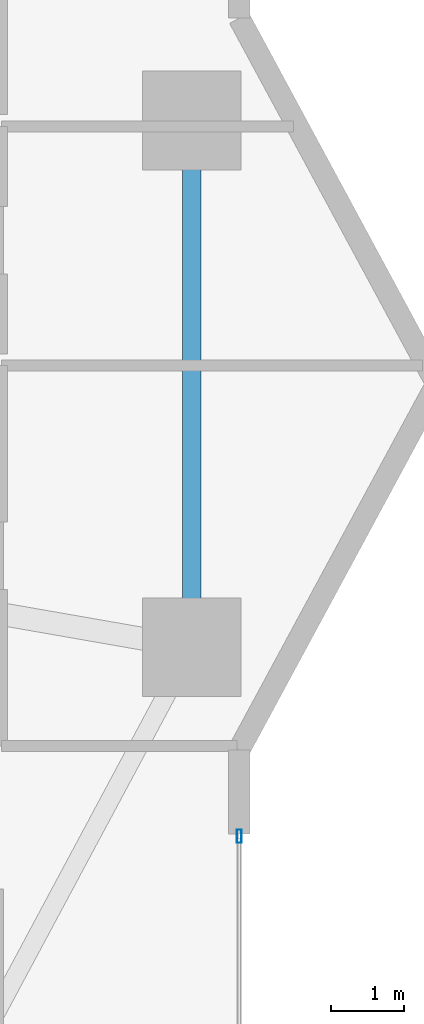
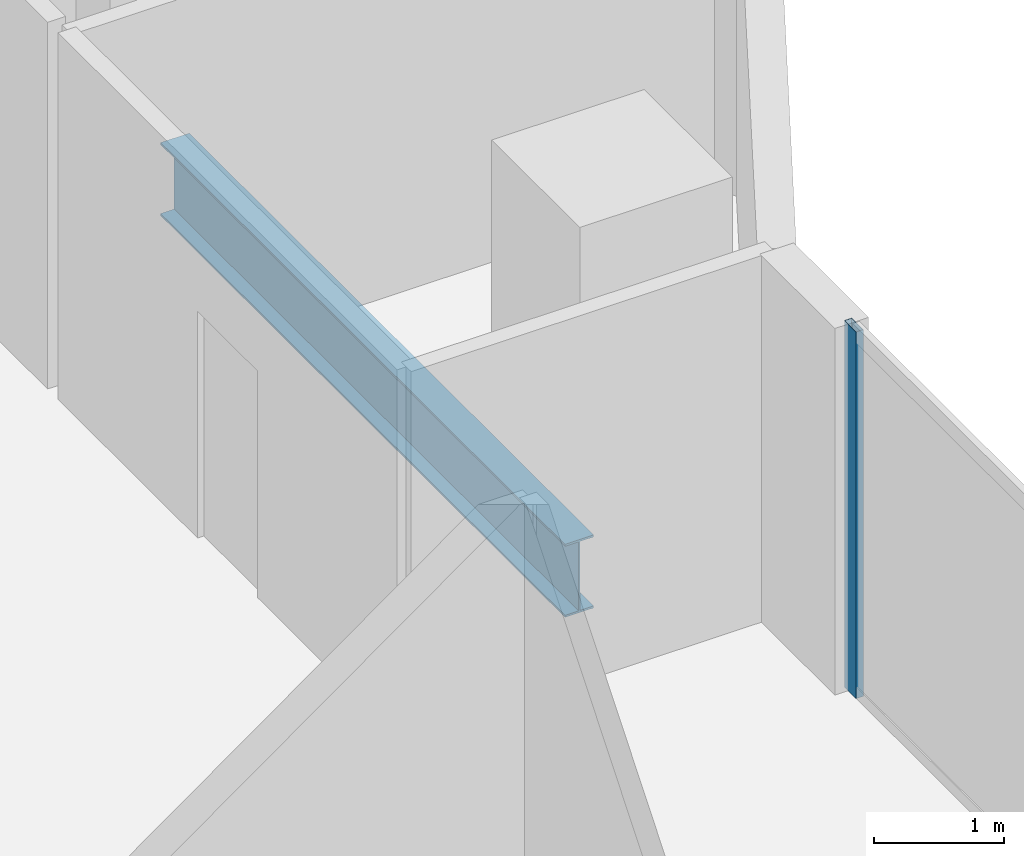
# One storey, part 13 of 27: 1 beam, 1 member, 1 element without a shape of its own.
"""IFC4 building model written with IfcOpenShell, lengths in metres."""

from ifc_helpers import new_model, si_unit, direction, frame, origin, origin_2d, place, context, subcontext, project, spatial, hollow_rectangle, i_section, extrude, material, layer, layer_set, material_profile, profile_set, type_object, element, aggregate, save


model = new_model("IFC4")

# Units and contexts
model_context = context("Model", 3, precision=1e-05, world=origin(), true_north=direction((0.0, 1.0)))
body_context = subcontext(model_context, "Body", "Model", "MODEL_VIEW")
ifc_project = project(units=[si_unit("LENGTHUNIT", "METRE"), si_unit("AREAUNIT", "SQUARE_METRE"), si_unit("VOLUMEUNIT", "CUBIC_METRE"), si_unit("PLANEANGLEUNIT", "RADIAN"), si_unit("MASSUNIT", "GRAM", prefix="KILO")], contexts=[model_context])

# Site, building, storey
site_placement = place(None, origin())
site = spatial("IfcSite", under=ifc_project, at=site_placement, CompositionType="ELEMENT")
building_placement = place(site_placement, origin())
building = spatial("IfcBuilding", under=site, at=building_placement, Name="Zuhayl Quay Hotel", CompositionType="ELEMENT")
storey_placement = place(building_placement, frame((0.0, 0.0, 117.550048828125)))
storey = spatial("IfcBuildingStorey", under=building, at=storey_placement, Name="L29", CompositionType="ELEMENT", Elevation=117.550048828125)

# Beam
ifc_material_1 = material(Name="Steel ASTM A992 Grade 50", Category="steel")
ifc_material_profile_1 = material_profile(ifc_material_1, i_section(OverallWidth=0.25390625, OverallDepth=0.68310546875, WebThickness=0.012451171875, FlangeThickness=0.018798828125, at=origin_2d()), Name="W27X94")
ifc_profile_set_1 = profile_set([ifc_material_profile_1], Name="Steel ASTM A992 Grade 50")
beam_type = type_object("IfcBeamType", Name="BM_B2_W27X94", PredefinedType="BEAM", material=ifc_profile_set_1)
beam_placement = place(storey_placement, frame((23.25, 3.39990234375, -0.5615234375), z_axis=(0.0, 1.0, 0.0), x_axis=(-1.0, 0.0, 0.0)))
element("IfcBeam", 1, at=beam_placement, inside=storey, type_object=beam_type, Name="L29 Floor Beam RG_L29_05", PredefinedType="BEAM", context=body_context, shape_type="SweptSolid", body=[
    extrude(i_section(OverallWidth=0.25390625, OverallDepth=0.68310546875, WebThickness=0.012451171875, FlangeThickness=0.018798828125, at=origin_2d()), origin(), (0.0, 0.0, 1.0), 6.2001953125),
])

# Curtain wall, member
ifc_material_2 = material(Name="Anodised Aluminium 6063-T6", Category="aluminium")
ifc_layer = layer(ifc_material_2, 0.179931640625, Name="Anodised Aluminium 6063-T6", Category="aluminium")
ifc_layer_set = layer_set([ifc_layer], Name="Anodised Aluminium 6063-T6")
curtain_wall_type = type_object("IfcCurtainWallType", Name="CW_SYS_Z2", PredefinedType="USERDEFINED", material=ifc_layer_set)
curtain_wall_placement = place(storey_placement, origin())
curtain_wall = element("IfcCurtainWall", 2, at=curtain_wall_placement, inside=storey, type_object=curtain_wall_type, Name="L29 Curtain Wall ENV_L29_E14_CW1", ObjectType="UNITISED CURTAIN WALL", PredefinedType="USERDEFINED")
ifc_material_3 = material(Name="Black-anodised aluminium 6063-T6", Category="aluminium")
ifc_material_profile_2 = material_profile(ifc_material_3, hollow_rectangle(XDim=0.06494140625, YDim=0.179931640625, WallThickness=0.00341796875, at=origin_2d()), Name="ALU180X65")
ifc_profile_set_2 = profile_set([ifc_material_profile_2], Name="Black-anodised aluminium 6063-T6")
member_type = type_object("IfcMemberType", Name="MB_CW_MUL_180", PredefinedType="MULLION", material=ifc_profile_set_2)
member_placement = place(storey_placement, frame((23.89990234375, 0.3173828125, 0.0), z_axis=(0.0, 0.0, 1.0), x_axis=(1.0, 0.0, 0.0)))
member = element("IfcMember", 3, at=member_placement, type_object=member_type, Name="CW-Z2 mullion 1", PredefinedType="MULLION", context=body_context, shape_type="SweptSolid", body=[
    extrude(hollow_rectangle(XDim=0.06494140625, YDim=0.179931640625, WallThickness=0.00341796875, at=origin_2d()), origin(), (0.0, 0.0, 1.0), 3.429931640625),
])
aggregate(curtain_wall, [member])

save(model, "model.ifc")
